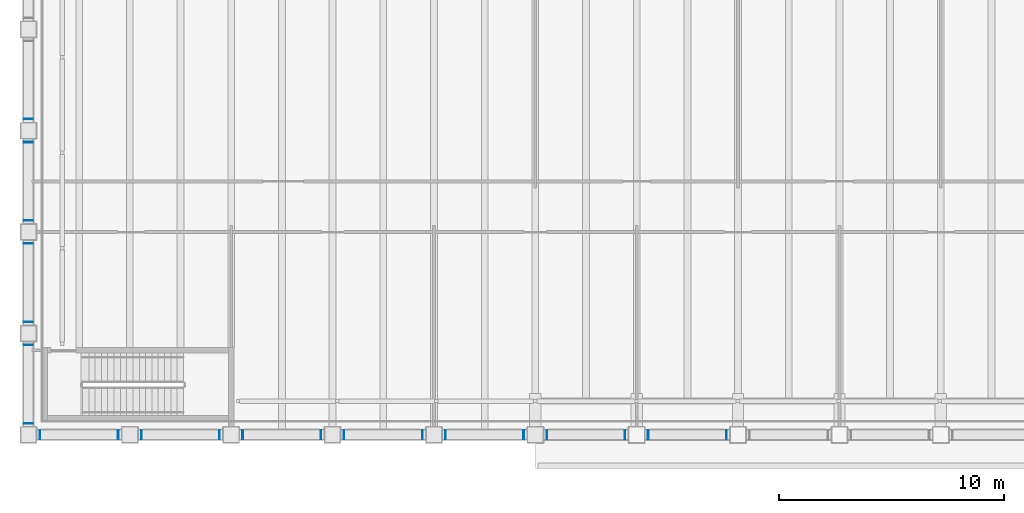
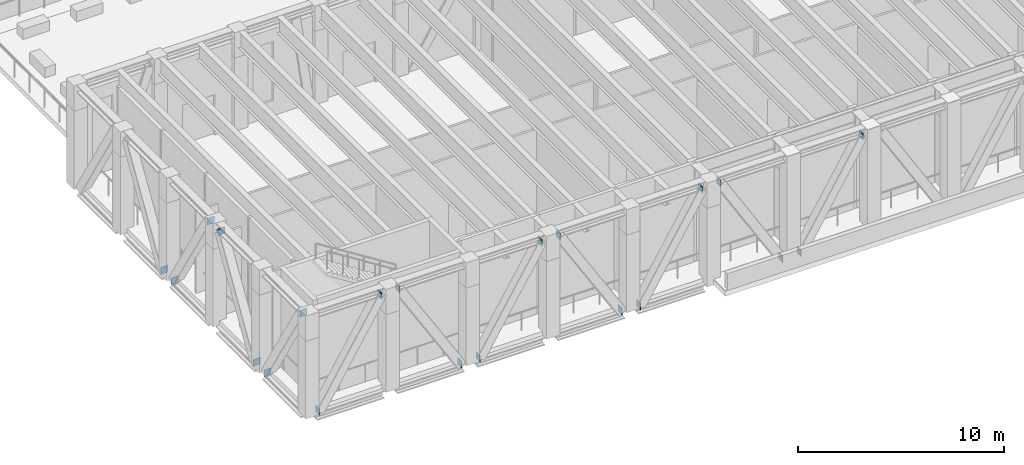
# One storey, part 6 of 20: 21 plates.
"""IFC4 building model written with IfcOpenShell, lengths in metres."""

from ifc_helpers import new_model, si_unit, direction, frame, origin, origin_2d, place, context, subcontext, project, spatial, rectangle, extrude, material, layer, layer_set, type_object, element, save


model = new_model("IFC4")

# Units and contexts
model_context = context("Model", 3, precision=1e-05, world=origin(), true_north=direction((0.0, 1.0)))
body_context = subcontext(model_context, "Body", "Model", "MODEL_VIEW")
ifc_project = project(units=[si_unit("LENGTHUNIT", "METRE"), si_unit("AREAUNIT", "SQUARE_METRE"), si_unit("VOLUMEUNIT", "CUBIC_METRE"), si_unit("PLANEANGLEUNIT", "RADIAN"), si_unit("MASSUNIT", "GRAM", prefix="KILO")], contexts=[model_context])

# Site, building, storey
site_placement = place(None, origin())
site = spatial("IfcSite", under=ifc_project, at=site_placement, CompositionType="ELEMENT")
building_placement = place(site_placement, origin())
building = spatial("IfcBuilding", under=site, at=building_placement, Name="Sennacour Bend Tower", CompositionType="ELEMENT")
storey_placement = place(building_placement, frame((0.0, 0.0, 243.0)))
storey = spatial("IfcBuildingStorey", under=building, at=storey_placement, Name="L56", CompositionType="ELEMENT", Elevation=243.0)

# Plates
ifc_material = material(Name="Steel ASTM A572 Grade 50", Category="steel")
ifc_layer = layer(ifc_material, 0.02490234375, Name="Steel ASTM A572 Grade 50", Category="steel")
ifc_layer_set = layer_set([ifc_layer], Name="Steel ASTM A572 Grade 50")
plate_type = type_object("IfcPlateType", Name="Connection end plate 25", PredefinedType="USERDEFINED", material=ifc_layer_set)
for number, where, z_axis, x_axis, name in (
    (1, (0.0, 0.512451171875, 5.195068359375), (0.0, 0.0, 1.0), (0.0, -1.0, 0.0), "Connection end plate CEP 25"),
    (2, (0.0, 3.987548828125, -0.449951171875), (0.0, 0.0, 1.0), (0.0, 1.0, 0.0), "Connection end plate CEP 25"),
    (3, (0.0, 5.012451171875, -0.449951171875), (0.0, 0.0, 1.0), (0.0, -1.0, 0.0), "Connection end plate CEP 25"),
    (4, (0.0, 8.487548828125, 5.195068359375), (0.0, 0.0, 1.0), (0.0, 1.0, 0.0), "Connection end plate CEP 25"),
    (5, (0.0, 9.512451171875, 5.195068359375), (0.0, 0.0, 1.0), (0.0, -1.0, 0.0), "Connection end plate CEP 25"),
    (6, (0.0, 12.987548828125, -0.449951171875), (0.0, 0.0, 1.0), (0.0, 1.0, 0.0), "Connection end plate CEP 25"),
    (7, (0.0, 14.012451171875, -0.449951171875), (0.0, 0.0, 1.0), (0.0, -1.0, 0.0), "Connection end plate CEP 25"),
    (8, (30.987548828125, 0.0, 5.195068359375), (0.0, 0.0, 1.0), (1.0, 0.0, 0.0), "Connection end plate CEP 25"),
    (9, (27.512451171875, 0.0, -0.5), (0.0, 0.0, 1.0), (-1.0, 0.0, 0.0), "Connection end plate CEP 25"),
    (10, (26.487548828125, 0.0, -0.5), (0.0, 0.0, 1.0), (1.0, 0.0, 0.0), "Connection end plate CEP 25"),
    (11, (23.012451171875, 0.0, 5.195068359375), (0.0, 0.0, 1.0), (-1.0, 0.0, 0.0), "Connection end plate CEP 25"),
    (12, (21.987548828125, 0.0, 5.195068359375), (0.0, 0.0, 1.0), (1.0, 0.0, 0.0), "Connection end plate CEP 25"),
    (13, (18.512451171875, 0.0, -0.5), (0.0, 0.0, 1.0), (-1.0, 0.0, 0.0), "Connection end plate CEP 25"),
    (14, (17.487548828125, 0.0, -0.449951171875), (0.0, 0.0, 1.0), (1.0, 0.0, 0.0), "Connection end plate CEP 25"),
    (15, (14.012451171875, 0.0, 5.195068359375), (0.0, 0.0, 1.0), (-1.0, 0.0, 0.0), "Connection end plate CEP 25"),
    (16, (12.987548828125, 0.0, 5.195068359375), (0.0, 0.0, 1.0), (1.0, 0.0, 0.0), "Connection end plate CEP 25"),
    (17, (9.512451171875, 0.0, -0.449951171875), (0.0, 0.0, 1.0), (-1.0, 0.0, 0.0), "Connection end plate CEP 25"),
    (18, (8.487548828125, 0.0, -0.449951171875), (0.0, 0.0, 1.0), (1.0, 0.0, 0.0), "Connection end plate CEP 25"),
    (19, (5.012451171875, 0.0, 5.195068359375), (0.0, 0.0, 1.0), (-1.0, 0.0, 0.0), "Connection end plate CEP 25"),
    (20, (3.987548828125, 0.0, 5.195068359375), (0.0, 0.0, 1.0), (1.0, 0.0, 0.0), "Connection end plate CEP 25"),
    (21, (0.512451171875, 0.0, -0.449951171875), (0.0, 0.0, 1.0), (-1.0, 0.0, 0.0), "Connection end plate CEP 25"),
):
    element("IfcPlate", number, at=place(storey_placement, frame(where, z_axis=z_axis, x_axis=x_axis)), inside=storey, type_object=plate_type, Name=name, ObjectType="END PLATE", PredefinedType="USERDEFINED", context=body_context, shape_type="SweptSolid", body=[
        extrude(rectangle(XDim=0.02490234375, YDim=0.39990234375, at=origin_2d()), origin(), (0.0, 0.0, 1.0), 0.39990234375),
    ])

save(model, "model.ifc")
